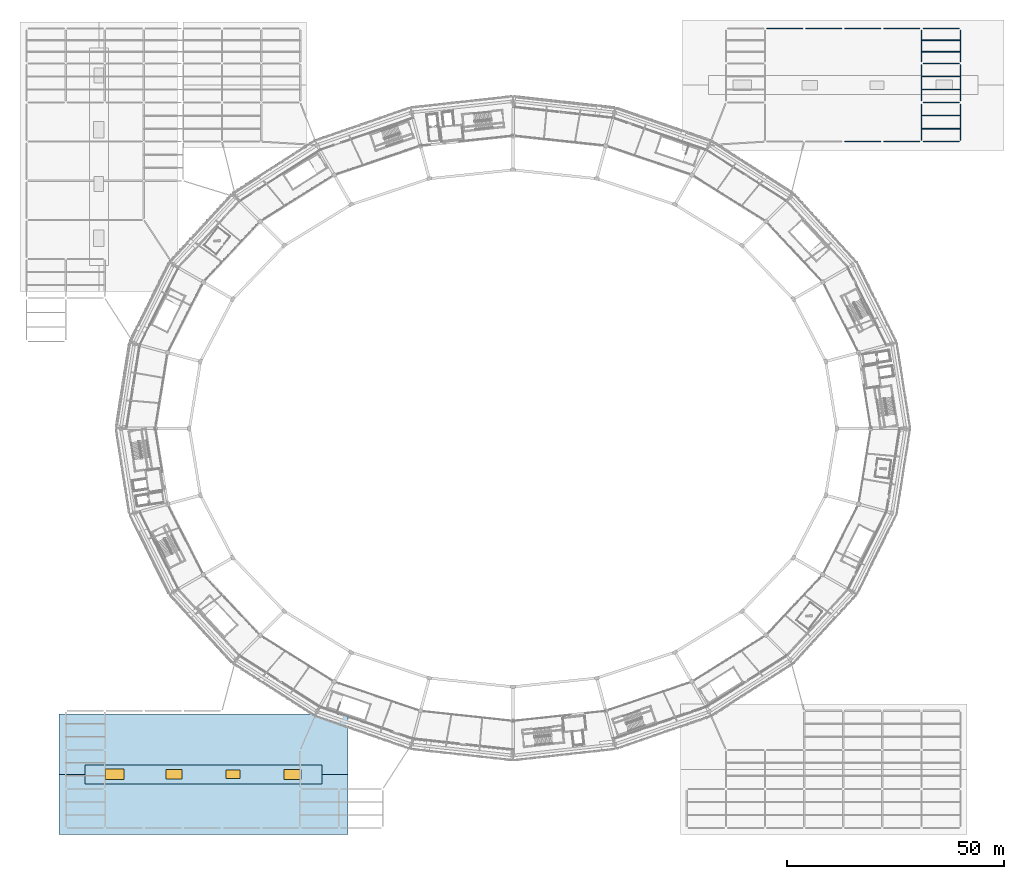
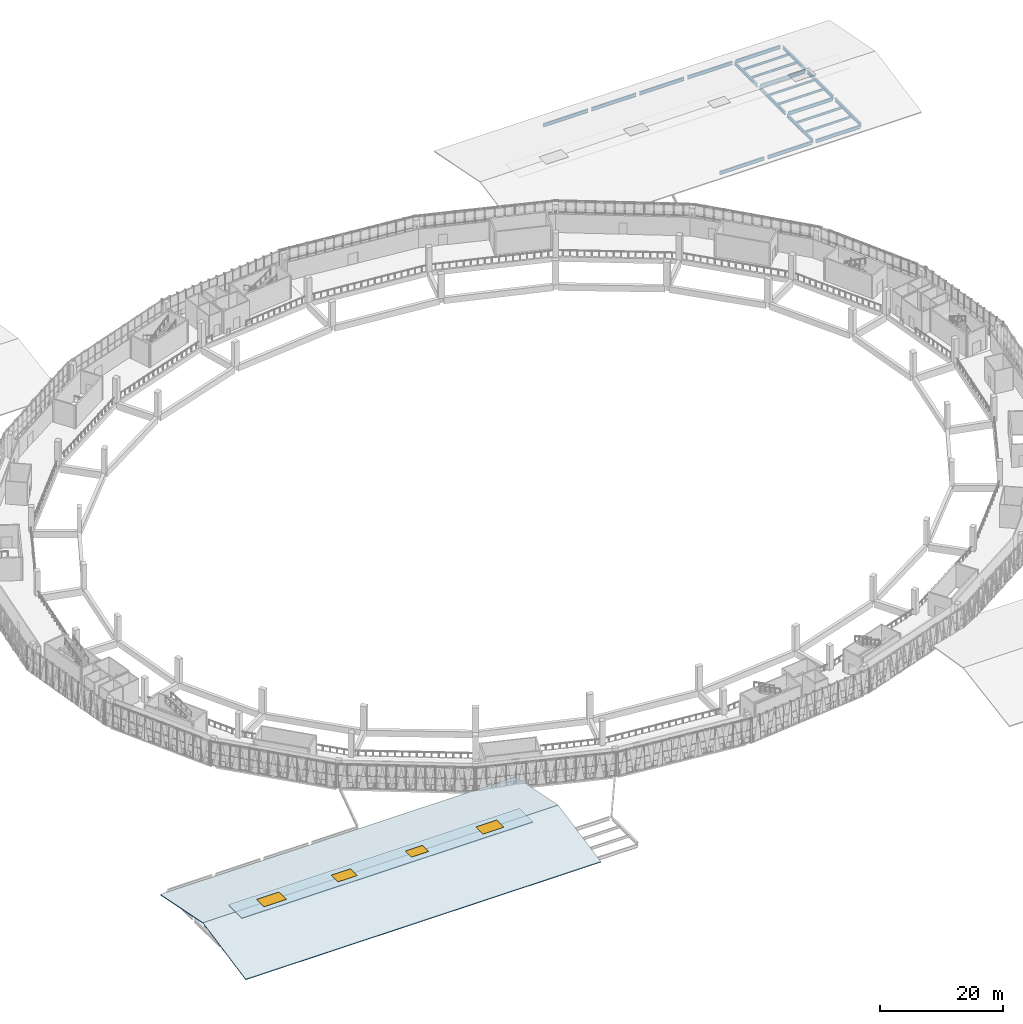
# One storey, part 49 of 108: 22 beams, 4 windows, 3 slabs, 4 openings.
"""IFC4 building model written with IfcOpenShell, lengths in metres."""

from ifc_helpers import new_model, si_unit, direction, frame, origin, origin_2d, place, context, subcontext, project, spatial, polyline, rectangle, i_section, outline, extrude, material, layer, layer_set, material_profile, profile_set, type_object, element, fill, save


model = new_model("IFC4")

# Units and contexts
model_context = context("Model", 3, precision=1e-05, world=origin(), true_north=direction((0.0, 1.0)))
body_context = subcontext(model_context, "Body", "Model", "MODEL_VIEW")
ifc_project = project(units=[si_unit("LENGTHUNIT", "METRE"), si_unit("AREAUNIT", "SQUARE_METRE"), si_unit("VOLUMEUNIT", "CUBIC_METRE"), si_unit("PLANEANGLEUNIT", "RADIAN"), si_unit("MASSUNIT", "GRAM", prefix="KILO")], contexts=[model_context])

# Site, building, storey
site_placement = place(None, origin())
site = spatial("IfcSite", under=ifc_project, at=site_placement, CompositionType="ELEMENT")
building_placement = place(site_placement, origin())
building = spatial("IfcBuilding", under=site, at=building_placement, Name="Zevraka Park Crest Stadium", CompositionType="ELEMENT")
storey_placement = place(building_placement, frame((0.0, 0.0, 19.800048828125)))
storey = spatial("IfcBuildingStorey", under=building, at=storey_placement, Name="L04", CompositionType="ELEMENT", Elevation=19.800048828125)

# Beams
ifc_material_1 = material(Name="Steel S355", Category="steel")
ifc_material_profile_1 = material_profile(ifc_material_1, i_section(OverallWidth=0.253662109375, OverallDepth=0.68359375, WebThickness=0.012451171875, FlangeThickness=0.01904296875, at=origin_2d()), Name="UKB 686x254x140")
ifc_profile_set_1 = profile_set([ifc_material_profile_1], Name="Steel S355")
beam_type_1 = type_object("IfcBeamType", Name="BG05", PredefinedType="BEAM", material=ifc_profile_set_1)
for number, where, z_axis, x_axis, name in (
    (1, (170.300048828125, 184.0, -0.60986328125), (1.0, 0.0, 0.0), (0.0, 1.0, 0.0), "Wing Girder BG05 L04-1920/W"),
    (2, (179.300048828125, 184.0, -0.60986328125), (1.0, 0.0, 0.0), (0.0, 1.0, 0.0), "Wing Girder BG05 L04-2021/W"),
    (3, (188.300048828125, 158.0, -0.60986328125), (1.0, 0.0, 0.0), (0.0, 1.0, 0.0), "Wing Girder BG05 L04-2122/T"),
    (4, (188.300048828125, 184.0, -0.60986328125), (1.0, 0.0, 0.0), (0.0, 1.0, 0.0), "Wing Girder BG05 L04-2122/W"),
    (5, (197.300048828125, 158.0, -0.60986328125), (1.0, 0.0, 0.0), (0.0, 1.0, 0.0), "Wing Girder BG05 L04-2223/T"),
    (6, (197.300048828125, 184.0, -0.60986328125), (1.0, 0.0, 0.0), (0.0, 1.0, 0.0), "Wing Girder BG05 L04-2223/W"),
    (7, (206.300048828125, 158.0, -0.60986328125), (1.0, 0.0, 0.0), (0.0, 1.0, 0.0), "Wing Girder BG05 L04-2324/T"),
    (8, (206.300048828125, 167.0, -0.60986328125), (1.0, 0.0, 0.0), (0.0, 1.0, 0.0), "Wing Girder BG05 L04-2324/U"),
    (9, (206.300048828125, 176.0, -0.60986328125), (1.0, 0.0, 0.0), (0.0, 1.0, 0.0), "Wing Girder BG05 L04-2324/V"),
    (10, (206.300048828125, 184.0, -0.60986328125), (1.0, 0.0, 0.0), (0.0, 1.0, 0.0), "Wing Girder BG05 L04-2324/W"),
):
    element("IfcBeam", number, at=place(storey_placement, frame(where, z_axis=z_axis, x_axis=x_axis)), inside=storey, type_object=beam_type_1, Name=name, PredefinedType="BEAM", context=body_context, shape_type="SweptSolid", body=[
        extrude(i_section(OverallWidth=0.253662109375, OverallDepth=0.68359375, WebThickness=0.012451171875, FlangeThickness=0.01904296875, at=origin_2d()), origin(), (0.0, 0.0, 1.0), 8.39990234375),
    ])
ifc_material_2 = material(Name="Steel S355", Category="steel")
ifc_material_profile_2 = material_profile(ifc_material_2, i_section(OverallWidth=0.300048828125, OverallDepth=0.64990234375, WebThickness=0.01611328125, FlangeThickness=0.031005859375, at=origin_2d()), Name="HEB 650")
ifc_profile_set_2 = profile_set([ifc_material_profile_2], Name="Steel S355")
beam_type_2 = type_object("IfcBeamType", Name="BG07", PredefinedType="BEAM", material=ifc_profile_set_2)
for number, where, z_axis, x_axis, name in (
    (11, (206.0, 158.300048828125, -0.593017578125), (0.0, 1.0, 0.0), (-1.0, 0.0, 0.0), "Wing Girder BG07 L04-23/TU"),
    (12, (206.0, 167.300048828125, -0.593017578125), (0.0, 1.0, 0.0), (-1.0, 0.0, 0.0), "Wing Girder BG07 L04-23/UV"),
):
    element("IfcBeam", number, at=place(storey_placement, frame(where, z_axis=z_axis, x_axis=x_axis)), inside=storey, type_object=beam_type_2, Name=name, PredefinedType="BEAM", context=body_context, shape_type="SweptSolid", body=[
        extrude(i_section(OverallWidth=0.300048828125, OverallDepth=0.64990234375, WebThickness=0.01611328125, FlangeThickness=0.031005859375, at=origin_2d()), origin(), (0.0, 0.0, 1.0), 8.39990234375),
    ])
beam_1_placement = place(storey_placement, frame((206.0, 176.300048828125, -0.593017578125), z_axis=(0.0, 1.0, 0.0), x_axis=(-1.0, 0.0, 0.0)))
element("IfcBeam", 13, at=beam_1_placement, inside=storey, type_object=beam_type_2, Name="Wing Girder BG07 L04-23/VW", PredefinedType="BEAM", context=body_context, shape_type="SweptSolid", body=[
    extrude(i_section(OverallWidth=0.300048828125, OverallDepth=0.64990234375, WebThickness=0.01611328125, FlangeThickness=0.031005859375, at=origin_2d()), origin(), (0.0, 0.0, 1.0), 7.39990234375),
])
for number, where, z_axis, x_axis, name in (
    (14, (215.0, 158.300048828125, -0.593017578125), (0.0, 1.0, 0.0), (-1.0, 0.0, 0.0), "Wing Girder BG07 L04-24/TU"),
    (15, (215.0, 167.300048828125, -0.593017578125), (0.0, 1.0, 0.0), (-1.0, 0.0, 0.0), "Wing Girder BG07 L04-24/UV"),
):
    element("IfcBeam", number, at=place(storey_placement, frame(where, z_axis=z_axis, x_axis=x_axis)), inside=storey, type_object=beam_type_2, Name=name, PredefinedType="BEAM", context=body_context, shape_type="SweptSolid", body=[
        extrude(i_section(OverallWidth=0.300048828125, OverallDepth=0.64990234375, WebThickness=0.01611328125, FlangeThickness=0.031005859375, at=origin_2d()), origin(), (0.0, 0.0, 1.0), 8.39990234375),
    ])
beam_2_placement = place(storey_placement, frame((215.0, 176.300048828125, -0.593017578125), z_axis=(0.0, 1.0, 0.0), x_axis=(-1.0, 0.0, 0.0)))
element("IfcBeam", 16, at=beam_2_placement, inside=storey, type_object=beam_type_2, Name="Wing Girder BG07 L04-24/VW", PredefinedType="BEAM", context=body_context, shape_type="SweptSolid", body=[
    extrude(i_section(OverallWidth=0.300048828125, OverallDepth=0.64990234375, WebThickness=0.01611328125, FlangeThickness=0.031005859375, at=origin_2d()), origin(), (0.0, 0.0, 1.0), 7.39990234375),
])
ifc_material_3 = material(Name="Steel S355", Category="steel")
ifc_material_profile_3 = material_profile(ifc_material_3, i_section(OverallWidth=0.18994140625, OverallDepth=0.45703125, WebThickness=0.009033203125, FlangeThickness=0.014404296875, at=origin_2d()), Name="UKB 457x191x74")
ifc_profile_set_3 = profile_set([ifc_material_profile_3], Name="Steel S355")
beam_type_3 = type_object("IfcBeamType", Name="SJ12", PredefinedType="JOIST", material=ifc_profile_set_3)
for number, where, z_axis, x_axis, name in (
    (17, (206.14501953125, 161.0, -0.49853515625), (1.0, 0.0, 0.0), (0.0, 1.0, 0.0), "Wing Joist SJ12 L04-23/T-1"),
    (18, (206.14501953125, 164.0, -0.49853515625), (1.0, 0.0, 0.0), (0.0, 1.0, 0.0), "Wing Joist SJ12 L04-23/T-2"),
    (19, (206.14501953125, 170.0, -0.49853515625), (1.0, 0.0, 0.0), (0.0, 1.0, 0.0), "Wing Joist SJ12 L04-23/U-1"),
    (20, (206.14501953125, 173.0, -0.49853515625), (1.0, 0.0, 0.0), (0.0, 1.0, 0.0), "Wing Joist SJ12 L04-23/U-2"),
    (21, (206.14501953125, 178.6669921875, -0.49853515625), (1.0, 0.0, 0.0), (0.0, 1.0, 0.0), "Wing Joist SJ12 L04-23/V-1"),
    (22, (206.14501953125, 181.3330078125, -0.49853515625), (1.0, 0.0, 0.0), (0.0, 1.0, 0.0), "Wing Joist SJ12 L04-23/V-2"),
):
    element("IfcBeam", number, at=place(storey_placement, frame(where, z_axis=z_axis, x_axis=x_axis)), inside=storey, type_object=beam_type_3, Name=name, PredefinedType="JOIST", context=body_context, shape_type="SweptSolid", body=[
        extrude(i_section(OverallWidth=0.18994140625, OverallDepth=0.45703125, WebThickness=0.009033203125, FlangeThickness=0.014404296875, at=origin_2d()), origin(), (0.0, 0.0, 1.0), 8.7099609375),
    ])

# Slabs
ifc_material_4 = material(Name="Concrete C35/45", Category="concrete")
ifc_layer = layer(ifc_material_4, 0.159912109375)
ifc_layer_set = layer_set([ifc_layer], Name="Concrete C35/45")
slab_type = type_object("IfcSlabType", Name="RS02", PredefinedType="ROOF", material=ifc_layer_set)
slab_1_placement = place(storey_placement, frame((7.5, -1.5, -0.179931640625), z_axis=(0.0, -0.196780809265, 0.980447506552), x_axis=(1.0, 0.0, 0.0)))
element("IfcSlab", 23, at=slab_1_placement, inside=storey, type_object=slab_type, Name="Pitched Pavilion Roof Slab RS02 SWING-ROOF-S", PredefinedType="ROOF", context=body_context, shape_type="SweptSolid", body=[
    extrude(outline(polyline([(0.0, 0.0), (66.5, 0.0), (66.5, 14.126302085208627), (0.0, 14.126302085208627), (0.0, 0.0)])), origin(), (0.0, 0.0, -1.0), 0.159912109375),
])
slab_2_placement = place(storey_placement, frame((74.0, 26.199951171875, -0.179931640625), z_axis=(0.0, 0.196784143728, 0.980446837303), x_axis=(-1.0, 0.0, 0.0)))
element("IfcSlab", 24, at=slab_2_placement, inside=storey, type_object=slab_type, Name="Pitched Pavilion Roof Slab RS02 SWING-ROOF-N", PredefinedType="ROOF", context=body_context, shape_type="SweptSolid", body=[
    extrude(outline(polyline([(0.0, 0.0), (66.5, 0.0), (66.5, 14.126062718223292), (0.0, 14.126062718223292), (0.0, 0.0)])), origin(), (0.0, 0.0, -1.0), 0.159912109375),
])

# Slab, openings, windows
slab_3_placement = place(storey_placement, frame((0.0, 0.0, 2.599853515625)))
slab_3 = element("IfcSlab", 25, at=slab_3_placement, inside=storey, type_object=slab_type, Name="Ridge Skylight Curb Roof Slab SWING-ROOF", PredefinedType="ROOF", context=body_context, shape_type="SweptSolid", body=[
    extrude(outline(polyline([(13.5, 10.14990234375), (68.0, 10.14990234375), (68.0, 14.550048828125), (13.5, 14.550048828125), (13.5, 10.14990234375)])), origin(), (0.0, 0.0, 1.0), 0.16015625),
])
opening_1_placement = place(slab_3_placement, frame((20.31201171875, 12.35009765625, 0.0)))
opening_1 = element("IfcOpeningElement", 26, at=opening_1_placement, cuts=slab_3, Name="Opening SK01", PredefinedType="OPENING", context=body_context, shape_type="SweptSolid", body=[
    extrude(rectangle(XDim=4.199951171875, YDim=2.39990234375, at=origin_2d()), origin(), (0.0, 0.0, 1.0), 0.16015625),
])
opening_2_placement = place(slab_3_placement, frame((33.93798828125, 12.35009765625, 0.0)))
opening_2 = element("IfcOpeningElement", 27, at=opening_2_placement, cuts=slab_3, Name="Opening SK02", PredefinedType="OPENING", context=body_context, shape_type="SweptSolid", body=[
    extrude(rectangle(XDim=3.60009765625, YDim=2.199951171875, at=origin_2d()), origin(), (0.0, 0.0, 1.0), 0.16015625),
])
opening_3_placement = place(slab_3_placement, frame((47.56201171875, 12.35009765625, 0.0)))
opening_3 = element("IfcOpeningElement", 28, at=opening_3_placement, cuts=slab_3, Name="Opening SK04", PredefinedType="OPENING", context=body_context, shape_type="SweptSolid", body=[
    extrude(rectangle(XDim=3.199951171875, YDim=2.0, at=origin_2d()), origin(), (0.0, 0.0, 1.0), 0.16015625),
])
opening_4_placement = place(slab_3_placement, frame((61.18798828125, 12.35009765625, 0.0)))
opening_4 = element("IfcOpeningElement", 29, at=opening_4_placement, cuts=slab_3, Name="Opening SK05", PredefinedType="OPENING", context=body_context, shape_type="SweptSolid", body=[
    extrude(rectangle(XDim=3.89990234375, YDim=2.300048828125, at=origin_2d()), origin(), (0.0, 0.0, 1.0), 0.16015625),
])
ifc_material_5 = material(Name="Solar-control laminated double glazing in aluminium frame", Category="aluminium")
window_type_1 = type_object("IfcWindowType", Name="SK01", PartitioningType="SINGLE_PANEL", PredefinedType="SKYLIGHT", material=ifc_material_5)
window_1_placement = place(opening_1_placement, frame((0.0, 0.0, 0.110107421875)))
window_1 = element("IfcWindow", 30, at=window_1_placement, inside=storey, type_object=window_type_1, Name="Pavilion Ridge Skylight SK01 SKY-09", OverallHeight=2.39990234375, OverallWidth=4.199951171875, PartitioningType="SINGLE_PANEL", PredefinedType="SKYLIGHT", context=body_context, shape_type="SweptSolid", body=[
    extrude(rectangle(XDim=4.199951171875, YDim=2.39990234375, at=origin_2d()), origin(), (0.0, 0.0, 1.0), 0.050048828125),
])
fill(opening_1, window_1)
ifc_material_6 = material(Name="Solar-control laminated double glazing in aluminium frame", Category="aluminium")
window_type_2 = type_object("IfcWindowType", Name="SK02", PartitioningType="SINGLE_PANEL", PredefinedType="SKYLIGHT", material=ifc_material_6)
window_2_placement = place(opening_2_placement, frame((0.0, 0.0, 0.110107421875)))
window_2 = element("IfcWindow", 31, at=window_2_placement, inside=storey, type_object=window_type_2, Name="Pavilion Ridge Skylight SK02 SKY-10", OverallHeight=2.199951171875, OverallWidth=3.60009765625, PartitioningType="SINGLE_PANEL", PredefinedType="SKYLIGHT", context=body_context, shape_type="SweptSolid", body=[
    extrude(rectangle(XDim=3.60009765625, YDim=2.199951171875, at=origin_2d()), origin(), (0.0, 0.0, 1.0), 0.050048828125),
])
fill(opening_2, window_2)
ifc_material_7 = material(Name="Solar-control laminated double glazing in aluminium frame", Category="aluminium")
window_type_3 = type_object("IfcWindowType", Name="SK04", PartitioningType="SINGLE_PANEL", PredefinedType="SKYLIGHT", material=ifc_material_7)
window_3_placement = place(opening_3_placement, frame((0.0, 0.0, 0.110107421875)))
window_3 = element("IfcWindow", 32, at=window_3_placement, inside=storey, type_object=window_type_3, Name="Pavilion Ridge Skylight SK04 SKY-11", OverallHeight=2.0, OverallWidth=3.199951171875, PartitioningType="SINGLE_PANEL", PredefinedType="SKYLIGHT", context=body_context, shape_type="SweptSolid", body=[
    extrude(rectangle(XDim=3.199951171875, YDim=2.0, at=origin_2d()), origin(), (0.0, 0.0, 1.0), 0.050048828125),
])
fill(opening_3, window_3)
ifc_material_8 = material(Name="Solar-control laminated double glazing in aluminium frame", Category="aluminium")
window_type_4 = type_object("IfcWindowType", Name="SK05", PartitioningType="SINGLE_PANEL", PredefinedType="SKYLIGHT", material=ifc_material_8)
window_4_placement = place(opening_4_placement, frame((0.0, 0.0, 0.110107421875)))
window_4 = element("IfcWindow", 33, at=window_4_placement, inside=storey, type_object=window_type_4, Name="Pavilion Ridge Skylight SK05 SKY-12", OverallHeight=2.300048828125, OverallWidth=3.89990234375, PartitioningType="SINGLE_PANEL", PredefinedType="SKYLIGHT", context=body_context, shape_type="SweptSolid", body=[
    extrude(rectangle(XDim=3.89990234375, YDim=2.300048828125, at=origin_2d()), origin(), (0.0, 0.0, 1.0), 0.050048828125),
])
fill(opening_4, window_4)

save(model, "model.ifc")
